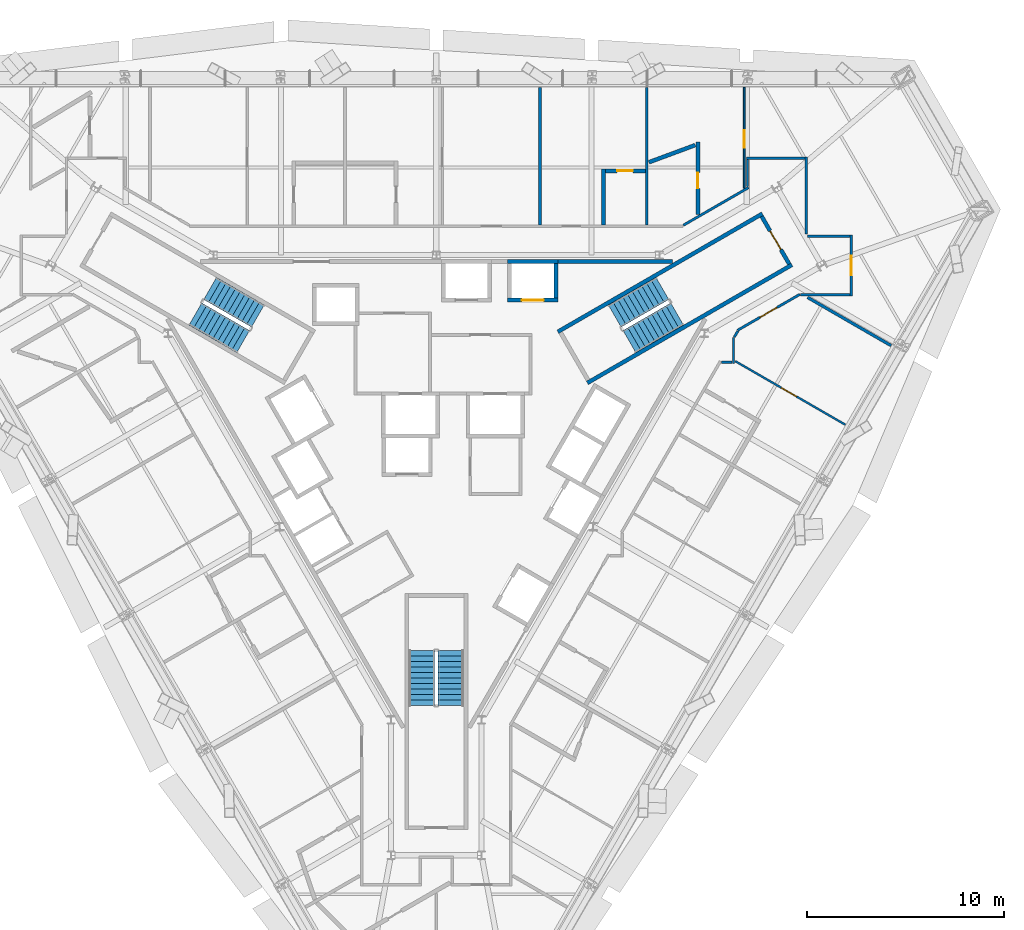
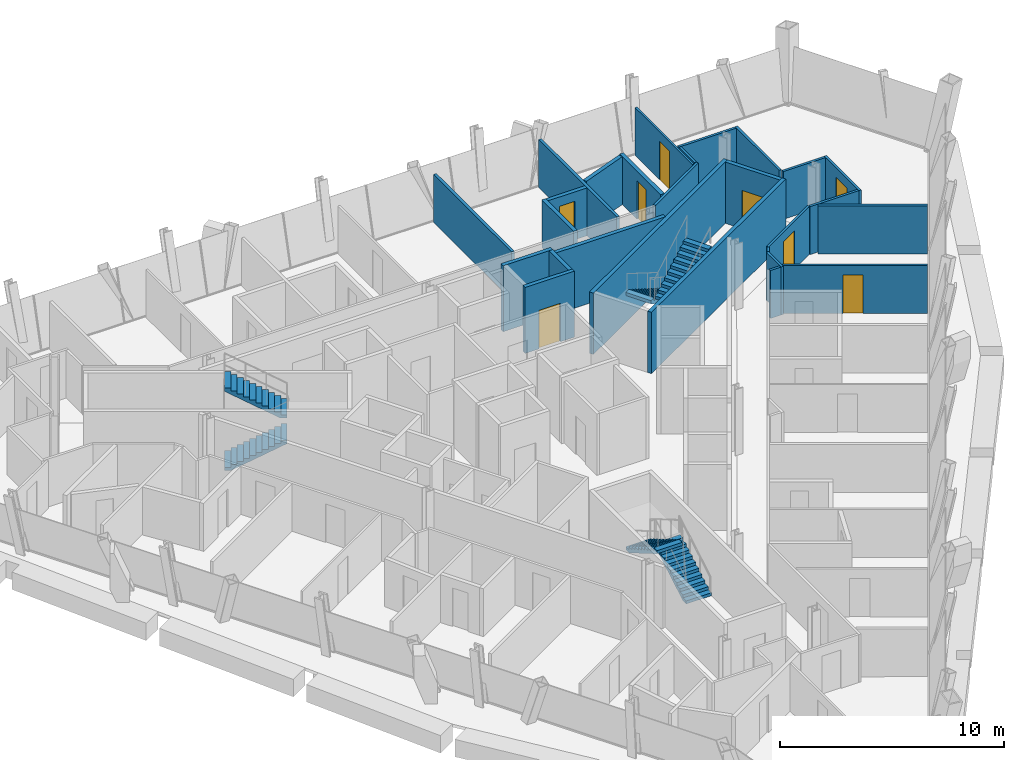
# One storey, part 11 of 13: 27 walls, 8 doors, 6 stair flights, 8 openings, 3 elements without a shape of their own.
"""IFC4 building model written with IfcOpenShell, lengths in metres."""

from ifc_helpers import new_model, si_unit, direction, frame, frame_2d, origin, place, context, subcontext, project, spatial, polyline, rectangle, outline, extrude, material, layer, layer_set, type_object, element, fill, aggregate, save


model = new_model("IFC4")

# Units and contexts
model_context = context("Model", 3, precision=1e-05, world=origin(), true_north=direction((0.0, 1.0)))
body_context = subcontext(model_context, "Body", "Model", "MODEL_VIEW")
ifc_project = project(units=[si_unit("LENGTHUNIT", "METRE"), si_unit("AREAUNIT", "SQUARE_METRE"), si_unit("VOLUMEUNIT", "CUBIC_METRE"), si_unit("PLANEANGLEUNIT", "RADIAN"), si_unit("MASSUNIT", "GRAM", prefix="KILO")], contexts=[model_context])

# Site, building, storey
site_placement = place(None, origin())
site = spatial("IfcSite", under=ifc_project, at=site_placement, CompositionType="ELEMENT")
building_placement = place(site_placement, origin())
building = spatial("IfcBuilding", under=site, at=building_placement, Name="Verrane Prism Tower", CompositionType="ELEMENT")
storey_placement = place(building_placement, frame((0.0, 0.0, 100.0)))
storey = spatial("IfcBuildingStorey", under=building, at=storey_placement, Name="L23", CompositionType="ELEMENT", Elevation=100.0)

# Wall
ifc_material_1 = material(Name="Gypsum board partition", Category="other")
ifc_layer_1 = layer(ifc_material_1, 0.199951171875)
ifc_layer_set_1 = layer_set([ifc_layer_1], Name="CW-200 core boundary wall 2 h")
wall_type_1 = type_object("IfcWallType", Name="CW-200 core boundary wall 2 h", PredefinedType="PARTITIONING", material=ifc_layer_set_1)
wall_1_placement = place(storey_placement, frame((6.177001953125, 8.860107421875, 0.0), z_axis=(0.0, 0.0, 1.0), x_axis=(1.0, 0.0, 0.0)))
element("IfcWall", 1, at=wall_1_placement, inside=storey, type_object=wall_type_1, Name="Core boundary wall CW3-006", PredefinedType="PARTITIONING", context=body_context, shape_type="SweptSolid", body=[
    extrude(rectangle(XDim=5.81396484375, YDim=0.199951171875, at=frame_2d((2.906982421875, 0.0))), origin(), (0.0, 0.0, 1.0), 3.35009765625),
])

# Wall, opening, door
ifc_material_2 = material(Name="Concrete C40/50", Category="concrete")
ifc_layer_2 = layer(ifc_material_2, 0.199951171875)
ifc_layer_set_2 = layer_set([ifc_layer_2], Name="CW-200 stair core wall concrete C40/50 3 h")
wall_type_2 = type_object("IfcWallType", Name="CW-200 stair core wall concrete C40/50 3 h", PredefinedType="PARTITIONING", material=ifc_layer_set_2)
wall_2_placement = place(storey_placement, frame((17.933837890625, 8.737548828125, 0.0), z_axis=(0.0, 0.0, 1.0), x_axis=(-0.49998411664, 0.866034573852, 0.0)))
wall_2 = element("IfcWall", 2, at=wall_2_placement, inside=storey, type_object=wall_type_2, Name="Stair 1 enclosure wall", PredefinedType="PARTITIONING", context=body_context, shape_type="SweptSolid", body=[
    extrude(rectangle(XDim=2.7998046875, YDim=0.199951171875, at=frame_2d((1.39990234375, 0.0))), origin(), (0.0, 0.0, 1.0), 3.35009765625),
])
opening_1_placement = place(wall_2_placement, frame((0.849853515625, 0.0, 0.0)))
opening_1 = element("IfcOpeningElement", 3, at=opening_1_placement, cuts=wall_2, Name="Opening D21500", PredefinedType="OPENING", context=body_context, shape_type="SweptSolid", body=[
    extrude(rectangle(XDim=1.10009765625, YDim=2.10009765625, at=frame_2d((0.550048828125, 1.050048828125))), frame((0.0, 0.10986328125, 0.0), z_axis=(0.0, -1.0, 0.0), x_axis=(1.0, 0.0, 0.0)), (0.0, 0.0, 1.0), 0.219970703125),
])
ifc_material_3 = material(Name="Timber veneered door leaf", Category="wood")
door_type_1 = type_object("IfcDoorType", Name="DR-1100x2100 FD90 single leaf stair", OperationType="NOTDEFINED", PredefinedType="DOOR", material=ifc_material_3)
door_1_placement = place(opening_1_placement, origin())
door_1 = element("IfcDoor", 4, at=door_1_placement, inside=storey, type_object=door_type_1, Name="Stair 1 door", OperationType="SINGLE_SWING_LEFT", OverallHeight=2.10009765625, OverallWidth=1.10009765625, PredefinedType="DOOR", context=body_context, shape_type="SweptSolid", body=[
    extrude(rectangle(XDim=1.10009765625, YDim=2.10009765625, at=frame_2d((0.550048828125, 1.050048828125))), frame((0.0, 0.02490234375, 0.0), z_axis=(0.0, -1.0, 0.0), x_axis=(1.0, 0.0, 0.0)), (0.0, 0.0, 1.0), 0.050048828125),
])
fill(opening_1, door_1)

# Walls
for number, where, z_axis, x_axis, name in (
    (5, (6.17822265625, 5.299072265625, 0.0), (0.0, 0.0, 1.0), (0.866026010844, 0.49999894854, 0.0), "Stair 1 enclosure wall"),
    (6, (7.67822265625, 2.700927734375, 0.0), (0.0, 0.0, 1.0), (0.866026010844, 0.49999894854, 0.0), "Stair 1 enclosure wall"),
):
    element("IfcWall", number, at=place(storey_placement, frame(where, z_axis=z_axis, x_axis=x_axis)), inside=storey, type_object=wall_type_2, Name=name, PredefinedType="PARTITIONING", context=body_context, shape_type="SweptSolid", body=[
        extrude(rectangle(XDim=12.0, YDim=0.199951171875, at=frame_2d((6.0, 0.0))), origin(), (0.0, 0.0, 1.0), 3.35009765625),
    ])

# Wall, opening, door
ifc_material_4 = material(Name="Gypsum board shaft wall assembly", Category="other")
ifc_layer_3 = layer(ifc_material_4, 0.199951171875)
ifc_layer_set_3 = layer_set([ifc_layer_3], Name="HW-200 lift shaft wall 2 h")
wall_type_3 = type_object("IfcWallType", Name="HW-200 lift shaft wall 2 h", PredefinedType="PARTITIONING", material=ifc_layer_set_3)
wall_3_placement = place(storey_placement, frame((3.625, 6.909912109375, 0.0), z_axis=(0.0, 0.0, 1.0), x_axis=(1.0, 0.0, 0.0)))
wall_3 = element("IfcWall", 7, at=wall_3_placement, inside=storey, type_object=wall_type_3, Name="Lift shaft wall", PredefinedType="PARTITIONING", context=body_context, shape_type="SweptSolid", body=[
    extrude(rectangle(XDim=2.550048828125, YDim=0.199951171875, at=frame_2d((1.27490234375, 0.0))), origin(), (0.0, 0.0, 1.0), 3.60009765625),
])
opening_2_placement = place(wall_3_placement, frame((0.72509765625, 0.0, 0.0)))
opening_2 = element("IfcOpeningElement", 8, at=opening_2_placement, cuts=wall_3, Name="Opening D21505", PredefinedType="OPENING", context=body_context, shape_type="SweptSolid", body=[
    extrude(rectangle(XDim=1.10009765625, YDim=2.10009765625, at=frame_2d((0.550048828125, 1.050048828125))), frame((0.0, 0.10986328125, 0.0), z_axis=(0.0, -1.0, 0.0), x_axis=(1.0, 0.0, 0.0)), (0.0, 0.0, 1.0), 0.219970703125),
])
ifc_material_5 = material(Name="Stainless steel sliding landing door", Category="steel")
door_type_2 = type_object("IfcDoorType", Name="LD-1100x2100 lift landing door FD90 sliding", OperationType="NOTDEFINED", PredefinedType="DOOR", material=ifc_material_5)
door_2_placement = place(opening_2_placement, origin())
door_2 = element("IfcDoor", 9, at=door_2_placement, inside=storey, type_object=door_type_2, Name="Bank A lift 3 landing door", OperationType="SLIDING_TO_LEFT", OverallHeight=2.10009765625, OverallWidth=1.10009765625, PredefinedType="DOOR", context=body_context, shape_type="SweptSolid", body=[
    extrude(rectangle(XDim=1.10009765625, YDim=2.10009765625, at=frame_2d((0.550048828125, 1.050048828125))), frame((0.0, 0.02490234375, 0.0), z_axis=(0.0, -1.0, 0.0), x_axis=(1.0, 0.0, 0.0)), (0.0, 0.0, 1.0), 0.050048828125),
])
fill(opening_2, door_2)

# Walls
wall_4_placement = place(storey_placement, frame((3.625, 8.860107421875, 0.0), z_axis=(0.0, 0.0, 1.0), x_axis=(1.0, 0.0, 0.0)))
element("IfcWall", 10, at=wall_4_placement, inside=storey, type_object=wall_type_3, Name="Lift shaft wall", PredefinedType="PARTITIONING", context=body_context, shape_type="SweptSolid", body=[
    extrude(rectangle(XDim=2.550048828125, YDim=0.199951171875, at=frame_2d((1.27490234375, 0.0))), origin(), (0.0, 0.0, 1.0), 3.60009765625),
])
wall_5_placement = place(storey_placement, frame((6.074951171875, 7.010009765625, 0.0), z_axis=(0.0, 0.0, 1.0), x_axis=(0.0, 1.0, 0.0)))
element("IfcWall", 11, at=wall_5_placement, inside=storey, type_object=wall_type_3, Name="Lift shaft wall", PredefinedType="PARTITIONING", context=body_context, shape_type="SweptSolid", body=[
    extrude(rectangle(XDim=1.75, YDim=0.199951171875, at=frame_2d((0.875, 0.0))), origin(), (0.0, 0.0, 1.0), 3.60009765625),
])

# Wall, opening, door
ifc_material_6 = material(Name="Gypsum board partition", Category="other")
ifc_layer_4 = layer(ifc_material_6, 0.10009765625)
ifc_layer_set_4 = layer_set([ifc_layer_4], Name="PW-100 room partition")
wall_type_4 = type_object("IfcWallType", Name="PW-100 room partition", PredefinedType="PARTITIONING", material=ifc_layer_set_4)
wall_6_placement = place(storey_placement, frame((20.786865234375, 0.574951171875, 0.0), z_axis=(0.0, 0.0, 1.0), x_axis=(-0.866012632051, 0.500022120638, 0.0)))
wall_6 = element("IfcWall", 12, at=wall_6_placement, inside=storey, type_object=wall_type_4, Name="Room partition 084", PredefinedType="PARTITIONING", context=body_context, shape_type="SweptSolid", body=[
    extrude(rectangle(XDim=6.464599609375, YDim=0.10009765625, at=frame_2d((3.232421875, 0.0))), origin(), (0.0, 0.0, 1.0), 2.613037109375),
])
opening_3_placement = place(wall_6_placement, frame((2.86572265625, 0.0, 0.0)))
opening_3 = element("IfcOpeningElement", 13, at=opening_3_placement, cuts=wall_6, Name="Opening D21010", PredefinedType="OPENING", context=body_context, shape_type="SweptSolid", body=[
    extrude(rectangle(XDim=0.89990234375, YDim=2.10009765625, at=frame_2d((0.449951171875, 1.050048828125))), frame((0.0, 0.06005859375, 0.0), z_axis=(0.0, -1.0, 0.0), x_axis=(1.0, 0.0, 0.0)), (0.0, 0.0, 1.0), 0.1201171875),
])
ifc_material_7 = material(Name="Timber veneered door leaf", Category="wood")
door_type_3 = type_object("IfcDoorType", Name="DR-900x2100 single leaf inner", OperationType="NOTDEFINED", PredefinedType="DOOR", material=ifc_material_7)
door_3_placement = place(opening_3_placement, origin())
door_3 = element("IfcDoor", 14, at=door_3_placement, inside=storey, type_object=door_type_3, Name="Suite Living Room door", OperationType="SINGLE_SWING_LEFT", OverallHeight=2.10009765625, OverallWidth=0.89990234375, PredefinedType="DOOR", context=body_context, shape_type="SweptSolid", body=[
    extrude(rectangle(XDim=0.89990234375, YDim=2.10009765625, at=frame_2d((0.449951171875, 1.050048828125))), frame((0.0, 0.02490234375, 0.0), z_axis=(0.0, -1.0, 0.0), x_axis=(1.0, 0.0, 0.0)), (0.0, 0.0, 1.0), 0.050048828125),
])
fill(opening_3, door_3)

wall_7_placement = place(storey_placement, frame((15.64794921875, 12.59912109375, 0.0), z_axis=(0.0, 0.0, 1.0), x_axis=(0.0, 1.0, 0.0)))
wall_7 = element("IfcWall", 15, at=wall_7_placement, inside=storey, type_object=wall_type_4, Name="Room partition 087", PredefinedType="PARTITIONING", context=body_context, shape_type="SweptSolid", body=[
    extrude(rectangle(XDim=5.115966796875, YDim=0.10009765625, at=frame_2d((2.55810546875, 0.0))), origin(), (0.0, 0.0, 1.0), 2.613037109375),
])
opening_4_placement = place(wall_7_placement, frame((2.049072265625, 0.0, 0.0)))
opening_4 = element("IfcOpeningElement", 16, at=opening_4_placement, cuts=wall_7, Name="Opening D21013", PredefinedType="OPENING", context=body_context, shape_type="SweptSolid", body=[
    extrude(rectangle(XDim=0.89990234375, YDim=2.10009765625, at=frame_2d((0.449951171875, 1.050048828125))), frame((0.0, 0.06005859375, 0.0), z_axis=(0.0, -1.0, 0.0), x_axis=(1.0, 0.0, 0.0)), (0.0, 0.0, 1.0), 0.1201171875),
])
door_4_placement = place(opening_4_placement, origin())
door_4 = element("IfcDoor", 17, at=door_4_placement, inside=storey, type_object=door_type_3, Name="Suite Living Room door", OperationType="SINGLE_SWING_LEFT", OverallHeight=2.10009765625, OverallWidth=0.89990234375, PredefinedType="DOOR", context=body_context, shape_type="SweptSolid", body=[
    extrude(rectangle(XDim=0.89990234375, YDim=2.10009765625, at=frame_2d((0.449951171875, 1.050048828125))), frame((0.0, 0.02490234375, 0.0), z_axis=(0.0, -1.0, 0.0), x_axis=(1.0, 0.0, 0.0)), (0.0, 0.0, 1.0), 0.050048828125),
])
fill(opening_4, door_4)

# Walls
ifc_material_8 = material(Name="Gypsum board partition", Category="other")
ifc_layer_5 = layer(ifc_material_8, 0.125)
ifc_layer_set_5 = layer_set([ifc_layer_5], Name="PW-125 corridor wall 1 h")
wall_type_5 = type_object("IfcWallType", Name="PW-125 corridor wall 1 h", PredefinedType="PARTITIONING", material=ifc_layer_set_5)
wall_8_placement = place(storey_placement, frame((12.5556640625, 10.71337890625, 0.0), z_axis=(0.0, 0.0, 1.0), x_axis=(0.86603035395, 0.499991425964, 0.0)))
element("IfcWall", 18, at=wall_8_placement, inside=storey, type_object=wall_type_5, Name="Corridor wall 077", PredefinedType="PARTITIONING", context=body_context, shape_type="SweptSolid", body=[
    extrude(rectangle(XDim=3.82373046875, YDim=0.125, at=frame_2d((1.911865234375, 0.0))), origin(), (0.0, 0.0, 1.0), 2.613037109375),
])
wall_9_placement = place(storey_placement, frame((14.489013671875, 3.7490234375, 0.0), z_axis=(0.0, 0.0, 1.0), x_axis=(1.0, 0.0, 0.0)))
element("IfcWall", 19, at=wall_9_placement, inside=storey, type_object=wall_type_5, Name="Corridor wall 081", PredefinedType="PARTITIONING", context=body_context, shape_type="SweptSolid", body=[
    extrude(rectangle(XDim=0.546875, YDim=0.125, at=frame_2d((0.2734375, 0.0))), origin(), (0.0, 0.0, 1.0), 2.613037109375),
])
wall_10_placement = place(storey_placement, frame((15.10107421875, 3.6865234375, 0.0), z_axis=(0.0, 0.0, 1.0), x_axis=(0.0, 1.0, 0.0)))
element("IfcWall", 20, at=wall_10_placement, inside=storey, type_object=wall_type_5, Name="Corridor wall 083", PredefinedType="PARTITIONING", context=body_context, shape_type="SweptSolid", body=[
    extrude(rectangle(XDim=1.3310546875, YDim=0.125, at=frame_2d((0.66552734375, 0.0))), origin(), (0.0, 0.0, 1.0), 2.613037109375),
])
wall_11_placement = place(storey_placement, frame((15.1435546875, 5.028564453125, 0.0), z_axis=(0.0, 0.0, 1.0), x_axis=(0.499682006278, 0.86620891972, 0.0)))
element("IfcWall", 21, at=wall_11_placement, inside=storey, type_object=wall_type_5, Name="Corridor wall 085", PredefinedType="PARTITIONING", context=body_context, shape_type="SweptSolid", body=[
    extrude(rectangle(XDim=0.348388671875, YDim=0.125, at=frame_2d((0.17431640625, 0.0))), origin(), (0.0, 0.0, 1.0), 2.613037109375),
])

# Wall, opening, door
wall_12_placement = place(storey_placement, frame((18.47802734375, 7.204345703125, 0.0), z_axis=(0.0, 0.0, 1.0), x_axis=(-0.866011320536, -0.500024392108, 0.0)))
wall_12 = element("IfcWall", 22, at=wall_12_placement, inside=storey, type_object=wall_type_5, Name="Corridor wall 086", PredefinedType="PARTITIONING", context=body_context, shape_type="SweptSolid", body=[
    extrude(rectangle(XDim=3.662841796875, YDim=0.125, at=frame_2d((1.83154296875, 0.0))), origin(), (0.0, 0.0, 1.0), 2.613037109375),
])
opening_5_placement = place(wall_12_placement, frame((1.3505859375, 0.0, 0.0)))
opening_5 = element("IfcOpeningElement", 23, at=opening_5_placement, cuts=wall_12, Name="Opening D21009", PredefinedType="OPENING", context=body_context, shape_type="SweptSolid", body=[
    extrude(rectangle(XDim=1.0, YDim=2.10009765625, at=frame_2d((0.5, 1.050048828125))), frame((0.0, 0.072509765625, 0.0), z_axis=(0.0, -1.0, 0.0), x_axis=(1.0, 0.0, 0.0)), (0.0, 0.0, 1.0), 0.14501953125),
])
ifc_material_9 = material(Name="Timber veneered door leaf", Category="wood")
door_type_4 = type_object("IfcDoorType", Name="DR-1000x2100 FD20 single leaf unit", OperationType="NOTDEFINED", PredefinedType="DOOR", material=ifc_material_9)
door_5_placement = place(opening_5_placement, origin())
door_5 = element("IfcDoor", 24, at=door_5_placement, inside=storey, type_object=door_type_4, Name="Suite Living Room door", OperationType="SINGLE_SWING_RIGHT", OverallHeight=2.10009765625, OverallWidth=1.0, PredefinedType="DOOR", context=body_context, shape_type="SweptSolid", body=[
    extrude(rectangle(XDim=1.0, YDim=2.10009765625, at=frame_2d((0.5, 1.050048828125))), frame((0.0, 0.02490234375, 0.0), z_axis=(0.0, -1.0, 0.0), x_axis=(1.0, 0.0, 0.0)), (0.0, 0.0, 1.0), 0.050048828125),
])
fill(opening_5, door_5)

# Walls
wall_13_placement = place(storey_placement, frame((15.81298828125, 12.678955078125, 0.0), z_axis=(0.0, 0.0, 1.0), x_axis=(0.0, 1.0, 0.0)))
element("IfcWall", 25, at=wall_13_placement, inside=storey, type_object=wall_type_5, Name="Corridor wall 088", PredefinedType="PARTITIONING", context=body_context, shape_type="SweptSolid", body=[
    extrude(rectangle(XDim=1.383056640625, YDim=0.125, at=frame_2d((0.69140625, 0.0))), origin(), (0.0, 0.0, 1.0), 2.613037109375),
])
wall_14_placement = place(storey_placement, frame((15.75048828125, 14.126953125, 0.0), z_axis=(0.0, 0.0, 1.0), x_axis=(1.0, 0.0, 0.0)))
element("IfcWall", 26, at=wall_14_placement, inside=storey, type_object=wall_type_5, Name="Corridor wall 089", PredefinedType="PARTITIONING", context=body_context, shape_type="SweptSolid", body=[
    extrude(rectangle(XDim=2.971435546875, YDim=0.125, at=frame_2d((1.48583984375, 0.0))), origin(), (0.0, 0.0, 1.0), 2.613037109375),
])
wall_15_placement = place(storey_placement, frame((18.509033203125, 7.173095703125, 0.0), z_axis=(0.0, 0.0, 1.0), x_axis=(1.0, 0.0, 0.0)))
element("IfcWall", 27, at=wall_15_placement, inside=storey, type_object=wall_type_5, Name="Corridor wall 090", PredefinedType="PARTITIONING", context=body_context, shape_type="SweptSolid", body=[
    extrude(rectangle(XDim=2.512939453125, YDim=0.125, at=frame_2d((1.25634765625, 0.0))), origin(), (0.0, 0.0, 1.0), 2.613037109375),
])
wall_16_placement = place(storey_placement, frame((18.787109375, 10.259033203125, 0.0), z_axis=(0.0, 0.0, 1.0), x_axis=(0.0, 1.0, 0.0)))
element("IfcWall", 28, at=wall_16_placement, inside=storey, type_object=wall_type_5, Name="Corridor wall 092", PredefinedType="PARTITIONING", context=body_context, shape_type="SweptSolid", body=[
    extrude(rectangle(XDim=3.930419921875, YDim=0.125, at=frame_2d((1.96533203125, 0.0))), origin(), (0.0, 0.0, 1.0), 2.613037109375),
])
wall_17_placement = place(storey_placement, frame((18.85205078125, 10.14697265625, 0.0), z_axis=(0.0, 0.0, 1.0), x_axis=(1.0, 0.0, 0.0)))
element("IfcWall", 29, at=wall_17_placement, inside=storey, type_object=wall_type_5, Name="Corridor wall 093", PredefinedType="PARTITIONING", context=body_context, shape_type="SweptSolid", body=[
    extrude(rectangle(XDim=2.169921875, YDim=0.125, at=frame_2d((1.0849609375, 0.0))), origin(), (0.0, 0.0, 1.0), 2.613037109375),
])

# Wall, opening, door
wall_18_placement = place(storey_placement, frame((21.0869140625, 10.20947265625, 0.0), z_axis=(0.0, 0.0, 1.0), x_axis=(0.0, -1.0, 0.0)))
wall_18 = element("IfcWall", 30, at=wall_18_placement, inside=storey, type_object=wall_type_5, Name="Corridor wall 094", PredefinedType="PARTITIONING", context=body_context, shape_type="SweptSolid", body=[
    extrude(rectangle(XDim=3.098876953125, YDim=0.125, at=frame_2d((1.54931640625, 0.0))), origin(), (0.0, 0.0, 1.0), 2.613037109375),
])
opening_6_placement = place(wall_18_placement, frame((1.03662109375, 0.0, 0.0)))
opening_6 = element("IfcOpeningElement", 31, at=opening_6_placement, cuts=wall_18, Name="Opening D21012", PredefinedType="OPENING", context=body_context, shape_type="SweptSolid", body=[
    extrude(rectangle(XDim=1.0, YDim=2.10009765625, at=frame_2d((0.5, 1.050048828125))), frame((0.0, 0.072509765625, 0.0), z_axis=(0.0, -1.0, 0.0), x_axis=(1.0, 0.0, 0.0)), (0.0, 0.0, 1.0), 0.14501953125),
])
door_6_placement = place(opening_6_placement, origin())
door_6 = element("IfcDoor", 32, at=door_6_placement, inside=storey, type_object=door_type_4, Name="Suite Living Room door", OperationType="SINGLE_SWING_LEFT", OverallHeight=2.10009765625, OverallWidth=1.0, PredefinedType="DOOR", context=body_context, shape_type="SweptSolid", body=[
    extrude(rectangle(XDim=1.0, YDim=2.10009765625, at=frame_2d((0.5, 1.050048828125))), frame((0.0, 0.02490234375, 0.0), z_axis=(0.0, -1.0, 0.0), x_axis=(1.0, 0.0, 0.0)), (0.0, 0.0, 1.0), 0.050048828125),
])
fill(opening_6, door_6)

# Walls
ifc_material_10 = material(Name="Gypsum board partition", Category="other")
ifc_layer_6 = layer(ifc_material_10, 0.14990234375)
ifc_layer_set_6 = layer_set([ifc_layer_6], Name="PW-150 demising wall 1 h")
wall_type_6 = type_object("IfcWallType", Name="PW-150 demising wall 1 h", PredefinedType="PARTITIONING", material=ifc_layer_set_6)
for number, where, z_axis, x_axis, name in (
    (33, (5.26806640625, 10.7333984375, 0.0), (0.0, 0.0, 1.0), (0.0, 1.0, 0.0), "Demising wall 062"),
    (34, (10.693115234375, 10.7333984375, 0.0), (0.0, 0.0, 1.0), (0.0, 1.0, 0.0), "Demising wall 073"),
):
    element("IfcWall", number, at=place(storey_placement, frame(where, z_axis=z_axis, x_axis=x_axis)), inside=storey, type_object=wall_type_6, Name=name, PredefinedType="PARTITIONING", context=body_context, shape_type="SweptSolid", body=[
        extrude(rectangle(XDim=6.981689453125, YDim=0.14990234375, at=frame_2d((3.49072265625, 0.0))), origin(), (0.0, 0.0, 1.0), 2.613037109375),
    ])
wall_19_placement = place(storey_placement, frame((18.86572265625, 7.045654296875, 0.0), z_axis=(0.0, 0.0, 1.0), x_axis=(0.866042025588, -0.499971209087, 0.0)))
element("IfcWall", 35, at=wall_19_placement, inside=storey, type_object=wall_type_6, Name="Demising wall 091", PredefinedType="PARTITIONING", context=body_context, shape_type="SweptSolid", body=[
    extrude(rectangle(XDim=4.899169921875, YDim=0.14990234375, at=frame_2d((2.44970703125, 0.0))), origin(), (0.0, 0.0, 1.0), 2.613037109375),
])
ifc_material_11 = material(Name="Gypsum board partition", Category="other")
ifc_layer_7 = layer(ifc_material_11, 0.199951171875)
ifc_layer_set_7 = layer_set([ifc_layer_7], Name="PW-200 plumbing wall")
wall_type_7 = type_object("IfcWallType", Name="PW-200 plumbing wall", PredefinedType="PARTITIONING", material=ifc_layer_set_7)
wall_20_placement = place(storey_placement, frame((8.492919921875, 10.7333984375, 0.0), z_axis=(0.0, 0.0, 1.0), x_axis=(0.0, 1.0, 0.0)))
element("IfcWall", 36, at=wall_20_placement, inside=storey, type_object=wall_type_7, Name="Plumbing wall 067", PredefinedType="PARTITIONING", context=body_context, shape_type="SweptSolid", body=[
    extrude(rectangle(XDim=2.837646484375, YDim=0.199951171875, at=frame_2d((1.4189453125, 0.0))), origin(), (0.0, 0.0, 1.0), 2.613037109375),
])

# Wall, opening, door
wall_21_placement = place(storey_placement, frame((10.617919921875, 13.470947265625, 0.0), z_axis=(0.0, 0.0, 1.0), x_axis=(-1.0, 0.0, 0.0)))
wall_21 = element("IfcWall", 37, at=wall_21_placement, inside=storey, type_object=wall_type_7, Name="Plumbing wall 068", PredefinedType="PARTITIONING", context=body_context, shape_type="SweptSolid", body=[
    extrude(rectangle(XDim=2.02490234375, YDim=0.199951171875, at=frame_2d((1.012451171875, 0.0))), origin(), (0.0, 0.0, 1.0), 2.613037109375),
])
opening_7_placement = place(wall_21_placement, frame((0.625, 0.0, 0.0)))
opening_7 = element("IfcOpeningElement", 38, at=opening_7_placement, cuts=wall_21, Name="Opening D21016", PredefinedType="OPENING", context=body_context, shape_type="SweptSolid", body=[
    extrude(rectangle(XDim=0.800048828125, YDim=2.10009765625, at=frame_2d((0.39990234375, 1.050048828125))), frame((0.0, 0.10986328125, 0.0), z_axis=(0.0, -1.0, 0.0), x_axis=(1.0, 0.0, 0.0)), (0.0, 0.0, 1.0), 0.219970703125),
])
ifc_material_12 = material(Name="Timber veneered door leaf", Category="wood")
door_type_5 = type_object("IfcDoorType", Name="DR-800x2100 single leaf bath", OperationType="NOTDEFINED", PredefinedType="DOOR", material=ifc_material_12)
door_7_placement = place(opening_7_placement, origin())
door_7 = element("IfcDoor", 39, at=door_7_placement, inside=storey, type_object=door_type_5, Name="En-Suite door", OperationType="SINGLE_SWING_LEFT", OverallHeight=2.10009765625, OverallWidth=0.800048828125, PredefinedType="DOOR", context=body_context, shape_type="SweptSolid", body=[
    extrude(rectangle(XDim=0.800048828125, YDim=2.10009765625, at=frame_2d((0.39990234375, 1.050048828125))), frame((0.0, 0.02490234375, 0.0), z_axis=(0.0, -1.0, 0.0), x_axis=(1.0, 0.0, 0.0)), (0.0, 0.0, 1.0), 0.050048828125),
])
fill(opening_7, door_7)

# Wall
wall_22_placement = place(storey_placement, frame((10.802734375, 13.91162109375, 0.0), z_axis=(0.0, 0.0, 1.0), x_axis=(0.937732337139, 0.347358696283, 0.0)))
element("IfcWall", 40, at=wall_22_placement, inside=storey, type_object=wall_type_7, Name="Plumbing wall 074", PredefinedType="PARTITIONING", context=body_context, shape_type="SweptSolid", body=[
    extrude(rectangle(XDim=2.510498046875, YDim=0.199951171875, at=frame_2d((1.25537109375, 0.0))), origin(), (0.0, 0.0, 1.0), 2.613037109375),
])

# Wall, opening, door
wall_23_placement = place(storey_placement, frame((13.29296875, 11.268798828125, 0.0), z_axis=(0.0, 0.0, 1.0), x_axis=(0.0, 1.0, 0.0)))
wall_23 = element("IfcWall", 41, at=wall_23_placement, inside=storey, type_object=wall_type_7, Name="Plumbing wall 078", PredefinedType="PARTITIONING", context=body_context, shape_type="SweptSolid", body=[
    extrude(rectangle(XDim=3.665283203125, YDim=0.199951171875, at=frame_2d((1.83251953125, 0.0))), origin(), (0.0, 0.0, 1.0), 2.613037109375),
])
opening_8_placement = place(wall_23_placement, frame((1.320068359375, 0.0, 0.0)))
opening_8 = element("IfcOpeningElement", 42, at=opening_8_placement, cuts=wall_23, Name="Opening D21014", PredefinedType="OPENING", context=body_context, shape_type="SweptSolid", body=[
    extrude(rectangle(XDim=0.800048828125, YDim=2.10009765625, at=frame_2d((0.39990234375, 1.050048828125))), frame((0.0, 0.10986328125, 0.0), z_axis=(0.0, -1.0, 0.0), x_axis=(1.0, 0.0, 0.0)), (0.0, 0.0, 1.0), 0.219970703125),
])
door_8_placement = place(opening_8_placement, origin())
door_8 = element("IfcDoor", 43, at=door_8_placement, inside=storey, type_object=door_type_5, Name="En-Suite door", OperationType="SINGLE_SWING_RIGHT", OverallHeight=2.10009765625, OverallWidth=0.800048828125, PredefinedType="DOOR", context=body_context, shape_type="SweptSolid", body=[
    extrude(rectangle(XDim=0.800048828125, YDim=2.10009765625, at=frame_2d((0.39990234375, 1.050048828125))), frame((0.0, 0.02490234375, 0.0), z_axis=(0.0, -1.0, 0.0), x_axis=(1.0, 0.0, 0.0)), (0.0, 0.0, 1.0), 0.050048828125),
])
fill(opening_8, door_8)

# Stair, stair flights
ifc_material_13 = material(Name="Concrete C40/50", Category="concrete")
stair_type = type_object("IfcStairType", Name="Exit stair 1300 dog-leg precast concrete C40/50", PredefinedType="HALF_TURN_STAIR", material=ifc_material_13)
stair_1_placement = place(storey_placement, origin())
stair_1 = element("IfcStair", 44, at=stair_1_placement, inside=storey, type_object=stair_type, Name="Stair 1 L23", PredefinedType="HALF_TURN_STAIR")
ifc_material_14 = material(Name="Concrete C40/50", Category="concrete")
stair_flight_type = type_object("IfcStairFlightType", Name="Stair flight 1300 precast concrete C40/50", PredefinedType="STRAIGHT", material=ifc_material_14)
stair_flight_1_placement = place(storey_placement, frame((11.489501953125, 7.49951171875, 0.0), z_axis=(0.0, 0.0, 1.0), x_axis=(-0.866025403784, -0.5, 0.0)))
stair_flight_1 = element("IfcStairFlight", 45, at=stair_flight_1_placement, type_object=stair_flight_type, Name="Stair 1 flight 1", NumberOfRisers=11, NumberOfTreads=10, PredefinedType="STRAIGHT", RiserHeight=0.163636364, TreadLength=0.28, context=body_context, shape_type="SweptSolid", body=[
    extrude(outline(polyline([(0.0, 0.0), (0.0, 0.16357421875), (0.280029296875, 0.16357421875), (0.280029296875, 0.327392578125), (0.56005859375, 0.327392578125), (0.56005859375, 0.490966796875), (0.840087890625, 0.490966796875), (0.840087890625, 0.654541015625), (1.1201171875, 0.654541015625), (1.1201171875, 0.818115234375), (1.39990234375, 0.818115234375), (1.39990234375, 0.98193359375), (1.679931640625, 0.98193359375), (1.679931640625, 1.1455078125), (1.9599609375, 1.1455078125), (1.9599609375, 1.30908203125), (2.239990234375, 1.30908203125), (2.239990234375, 1.47265625), (2.52001953125, 1.47265625), (2.52001953125, 1.636474609375), (2.800048828125, 1.636474609375), (2.800048828125, 1.800048828125), (2.800048828125, 1.462646484375), (0.297119140625, 0.0), (0.0, 0.0)])), frame((0.0, 0.64990234375, 0.0), z_axis=(0.0, -1.0, 0.0), x_axis=(1.0, 0.0, 0.0)), (0.0, 0.0, 1.0), 1.300048828125),
])
stair_flight_2_placement = place(storey_placement, frame((9.814697265625, 4.800537109375, 1.800048828125), z_axis=(0.0, 0.0, 1.0), x_axis=(0.866025403784, 0.5, 0.0)))
stair_flight_2 = element("IfcStairFlight", 46, at=stair_flight_2_placement, type_object=stair_flight_type, Name="Stair 1 flight 2", NumberOfRisers=11, NumberOfTreads=10, PredefinedType="STRAIGHT", RiserHeight=0.163636364, TreadLength=0.28, context=body_context, shape_type="SweptSolid", body=[
    extrude(outline(polyline([(0.0, 0.0), (0.0, 0.16357421875), (0.280029296875, 0.16357421875), (0.280029296875, 0.327392578125), (0.56005859375, 0.327392578125), (0.56005859375, 0.490966796875), (0.840087890625, 0.490966796875), (0.840087890625, 0.654541015625), (1.1201171875, 0.654541015625), (1.1201171875, 0.818115234375), (1.39990234375, 0.818115234375), (1.39990234375, 0.98193359375), (1.679931640625, 0.98193359375), (1.679931640625, 1.1455078125), (1.9599609375, 1.1455078125), (1.9599609375, 1.30908203125), (2.239990234375, 1.30908203125), (2.239990234375, 1.47265625), (2.52001953125, 1.47265625), (2.52001953125, 1.636474609375), (2.800048828125, 1.636474609375), (2.800048828125, 1.800048828125), (2.800048828125, 1.462646484375), (0.297119140625, 0.0), (0.0, 0.0)])), frame((0.0, 0.64990234375, 0.0), z_axis=(0.0, -1.0, 0.0), x_axis=(1.0, 0.0, 0.0)), (0.0, 0.0, 1.0), 1.300048828125),
])
aggregate(stair_1, [stair_flight_1, stair_flight_2])

stair_2_placement = place(storey_placement, origin())
stair_2 = element("IfcStair", 47, at=stair_2_placement, inside=storey, type_object=stair_type, Name="Stair 2 L23", PredefinedType="HALF_TURN_STAIR")
stair_flight_3_placement = place(storey_placement, frame((-12.239501953125, 6.200439453125, 0.0), z_axis=(0.0, 0.0, 1.0), x_axis=(0.866025403784, -0.5, 0.0)))
stair_flight_3 = element("IfcStairFlight", 48, at=stair_flight_3_placement, type_object=stair_flight_type, Name="Stair 2 flight 1", NumberOfRisers=11, NumberOfTreads=10, PredefinedType="STRAIGHT", RiserHeight=0.163636364, TreadLength=0.28, context=body_context, shape_type="SweptSolid", body=[
    extrude(outline(polyline([(0.0, 0.0), (0.0, 0.16357421875), (0.280029296875, 0.16357421875), (0.280029296875, 0.327392578125), (0.56005859375, 0.327392578125), (0.56005859375, 0.490966796875), (0.840087890625, 0.490966796875), (0.840087890625, 0.654541015625), (1.1201171875, 0.654541015625), (1.1201171875, 0.818115234375), (1.39990234375, 0.818115234375), (1.39990234375, 0.98193359375), (1.679931640625, 0.98193359375), (1.679931640625, 1.1455078125), (1.9599609375, 1.1455078125), (1.9599609375, 1.30908203125), (2.239990234375, 1.30908203125), (2.239990234375, 1.47265625), (2.52001953125, 1.47265625), (2.52001953125, 1.636474609375), (2.800048828125, 1.636474609375), (2.800048828125, 1.800048828125), (2.800048828125, 1.462646484375), (0.297119140625, 0.0), (0.0, 0.0)])), frame((0.0, 0.64990234375, 0.0), z_axis=(0.0, -1.0, 0.0), x_axis=(1.0, 0.0, 0.0)), (0.0, 0.0, 1.0), 1.300048828125),
])
stair_flight_4_placement = place(storey_placement, frame((-9.064697265625, 6.099609375, 1.800048828125), z_axis=(0.0, 0.0, 1.0), x_axis=(-0.866025403784, 0.5, 0.0)))
stair_flight_4 = element("IfcStairFlight", 49, at=stair_flight_4_placement, type_object=stair_flight_type, Name="Stair 2 flight 2", NumberOfRisers=11, NumberOfTreads=10, PredefinedType="STRAIGHT", RiserHeight=0.163636364, TreadLength=0.28, context=body_context, shape_type="SweptSolid", body=[
    extrude(outline(polyline([(0.0, 0.0), (0.0, 0.16357421875), (0.280029296875, 0.16357421875), (0.280029296875, 0.327392578125), (0.56005859375, 0.327392578125), (0.56005859375, 0.490966796875), (0.840087890625, 0.490966796875), (0.840087890625, 0.654541015625), (1.1201171875, 0.654541015625), (1.1201171875, 0.818115234375), (1.39990234375, 0.818115234375), (1.39990234375, 0.98193359375), (1.679931640625, 0.98193359375), (1.679931640625, 1.1455078125), (1.9599609375, 1.1455078125), (1.9599609375, 1.30908203125), (2.239990234375, 1.30908203125), (2.239990234375, 1.47265625), (2.52001953125, 1.47265625), (2.52001953125, 1.636474609375), (2.800048828125, 1.636474609375), (2.800048828125, 1.800048828125), (2.800048828125, 1.462646484375), (0.297119140625, 0.0), (0.0, 0.0)])), frame((0.0, 0.64990234375, 0.0), z_axis=(0.0, -1.0, 0.0), x_axis=(1.0, 0.0, 0.0)), (0.0, 0.0, 1.0), 1.300048828125),
])
aggregate(stair_2, [stair_flight_3, stair_flight_4])

stair_3_placement = place(storey_placement, origin())
stair_3 = element("IfcStair", 50, at=stair_3_placement, inside=storey, type_object=stair_type, Name="Stair 3 L23", PredefinedType="HALF_TURN_STAIR")
stair_flight_5_placement = place(storey_placement, frame((0.75, -13.699951171875, 0.0), z_axis=(0.0, 0.0, 1.0), x_axis=(0.0, 1.0, 0.0)))
stair_flight_5 = element("IfcStairFlight", 51, at=stair_flight_5_placement, type_object=stair_flight_type, Name="Stair 3 flight 1", NumberOfRisers=11, NumberOfTreads=10, PredefinedType="STRAIGHT", RiserHeight=0.163636364, TreadLength=0.28, context=body_context, shape_type="SweptSolid", body=[
    extrude(outline(polyline([(0.0, 0.0), (0.0, 0.16357421875), (0.280029296875, 0.16357421875), (0.280029296875, 0.327392578125), (0.56005859375, 0.327392578125), (0.56005859375, 0.490966796875), (0.840087890625, 0.490966796875), (0.840087890625, 0.654541015625), (1.1201171875, 0.654541015625), (1.1201171875, 0.818115234375), (1.39990234375, 0.818115234375), (1.39990234375, 0.98193359375), (1.679931640625, 0.98193359375), (1.679931640625, 1.1455078125), (1.9599609375, 1.1455078125), (1.9599609375, 1.30908203125), (2.239990234375, 1.30908203125), (2.239990234375, 1.47265625), (2.52001953125, 1.47265625), (2.52001953125, 1.636474609375), (2.800048828125, 1.636474609375), (2.800048828125, 1.800048828125), (2.800048828125, 1.462646484375), (0.297119140625, 0.0), (0.0, 0.0)])), frame((0.0, 0.64990234375, 0.0), z_axis=(0.0, -1.0, 0.0), x_axis=(1.0, 0.0, 0.0)), (0.0, 0.0, 1.0), 1.300048828125),
])
stair_flight_6_placement = place(storey_placement, frame((-0.75, -10.89990234375, 1.800048828125), z_axis=(0.0, 0.0, 1.0), x_axis=(0.0, -1.0, 0.0)))
stair_flight_6 = element("IfcStairFlight", 52, at=stair_flight_6_placement, type_object=stair_flight_type, Name="Stair 3 flight 2", NumberOfRisers=11, NumberOfTreads=10, PredefinedType="STRAIGHT", RiserHeight=0.163636364, TreadLength=0.28, context=body_context, shape_type="SweptSolid", body=[
    extrude(outline(polyline([(0.0, 0.0), (0.0, 0.16357421875), (0.280029296875, 0.16357421875), (0.280029296875, 0.327392578125), (0.56005859375, 0.327392578125), (0.56005859375, 0.490966796875), (0.840087890625, 0.490966796875), (0.840087890625, 0.654541015625), (1.1201171875, 0.654541015625), (1.1201171875, 0.818115234375), (1.39990234375, 0.818115234375), (1.39990234375, 0.98193359375), (1.679931640625, 0.98193359375), (1.679931640625, 1.1455078125), (1.9599609375, 1.1455078125), (1.9599609375, 1.30908203125), (2.239990234375, 1.30908203125), (2.239990234375, 1.47265625), (2.52001953125, 1.47265625), (2.52001953125, 1.636474609375), (2.800048828125, 1.636474609375), (2.800048828125, 1.800048828125), (2.800048828125, 1.462646484375), (0.297119140625, 0.0), (0.0, 0.0)])), frame((0.0, 0.64990234375, 0.0), z_axis=(0.0, -1.0, 0.0), x_axis=(1.0, 0.0, 0.0)), (0.0, 0.0, 1.0), 1.300048828125),
])
aggregate(stair_3, [stair_flight_5, stair_flight_6])

save(model, "model.ifc")
